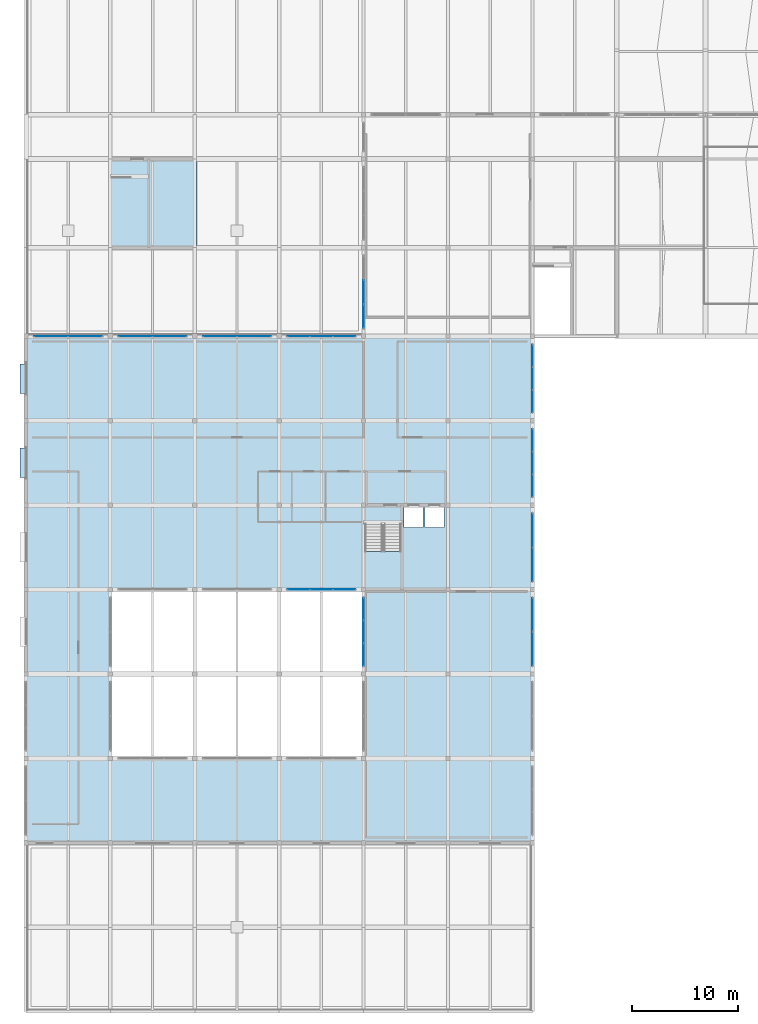
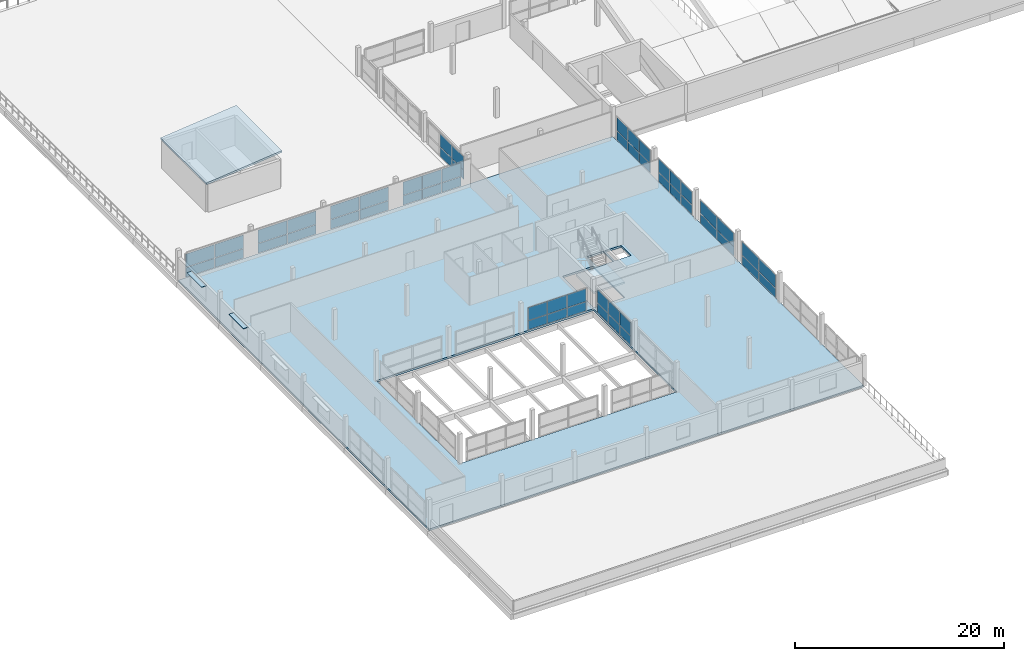
# One storey, part 34 of 51: 56 plates, 3 slabs, 12 elements without a shape of their own.
"""IFC4 building model written with IfcOpenShell, lengths in metres."""

from ifc_helpers import new_model, si_unit, direction, frame, origin, origin_2d, place, context, subcontext, project, spatial, polyline, rectangle, outline, extrude, material, layer, layer_set, type_object, element, aggregate, save


model = new_model("IFC4")

# Units and contexts
model_context = context("Model", 3, precision=1e-05, world=origin(), true_north=direction((0.0, 1.0)))
body_context = subcontext(model_context, "Body", "Model", "MODEL_VIEW")
ifc_project = project(units=[si_unit("LENGTHUNIT", "METRE"), si_unit("AREAUNIT", "SQUARE_METRE"), si_unit("VOLUMEUNIT", "CUBIC_METRE"), si_unit("PLANEANGLEUNIT", "RADIAN"), si_unit("MASSUNIT", "GRAM", prefix="KILO")], contexts=[model_context])

# Site, building, storey
site_placement = place(None, origin())
site = spatial("IfcSite", under=ifc_project, at=site_placement, CompositionType="ELEMENT")
building_placement = place(site_placement, origin())
building = spatial("IfcBuilding", under=site, at=building_placement, Name="Vharandega Faculty of Natural Sciences", CompositionType="ELEMENT")
storey_placement = place(building_placement, frame((0.0, 0.0, 18.0)))
storey = spatial("IfcBuildingStorey", under=building, at=storey_placement, Name="L04", CompositionType="ELEMENT", Elevation=18.0)

# Curtain wall, plates
ifc_material_1 = material(Name="Aluminium and solar-control glass curtain wall", Category="aluminium")
curtain_wall_type_1 = type_object("IfcCurtainWallType", Name="Unitised Curtain Wall System CW-25", PredefinedType="NOTDEFINED", material=ifc_material_1)
curtain_wall_1_placement = place(storey_placement, origin())
curtain_wall_1 = element("IfcCurtainWall", 1, at=curtain_wall_1_placement, inside=storey, type_object=curtain_wall_type_1, Name="Curtain Wall CW-L04-108", PredefinedType="NOTDEFINED")
ifc_material_2 = material(Name="Double-glazed low-E solar glass", Category="glass")
ifc_layer_1 = layer(ifc_material_2, 0.028076171875, Name="Double-glazed low-E solar glass")
ifc_layer_set_1 = layer_set([ifc_layer_1], Name="Double-glazed low-E solar glass")
plate_type_1 = type_object("IfcPlateType", Name="CW Solar Vision Panel 28mm", PredefinedType="CURTAIN_PANEL", material=ifc_layer_set_1)
plate_1_placement = place(storey_placement, frame((32.0, 65.908447265625, 0.06005859375), z_axis=(0.0, 0.0, 1.0), x_axis=(0.0, 1.0, 0.0)))
plate_1 = element("IfcPlate", 2, at=plate_1_placement, type_object=plate_type_1, Name="CW-25 panel 1.1", PredefinedType="CURTAIN_PANEL", context=body_context, shape_type="SweptSolid", body=[
    extrude(rectangle(XDim=2.216552734375, YDim=0.028076171875, at=origin_2d()), origin(), (0.0, 0.0, 1.0), 1.069091796875),
])
plate_2_placement = place(storey_placement, frame((32.0, 65.908447265625, 1.189208984375), z_axis=(0.0, 0.0, 1.0), x_axis=(0.0, 1.0, 0.0)))
plate_2 = element("IfcPlate", 3, at=plate_2_placement, type_object=plate_type_1, Name="CW-25 panel 1.2", PredefinedType="CURTAIN_PANEL", context=body_context, shape_type="SweptSolid", body=[
    extrude(rectangle(XDim=2.216552734375, YDim=0.028076171875, at=origin_2d()), origin(), (0.0, 0.0, 1.0), 1.5107421875),
])
plate_3_placement = place(storey_placement, frame((32.0, 68.199951171875, 0.06005859375), z_axis=(0.0, 0.0, 1.0), x_axis=(0.0, 1.0, 0.0)))
plate_3 = element("IfcPlate", 4, at=plate_3_placement, type_object=plate_type_1, Name="CW-25 panel 2.1", PredefinedType="CURTAIN_PANEL", context=body_context, shape_type="SweptSolid", body=[
    extrude(rectangle(XDim=2.24658203125, YDim=0.028076171875, at=origin_2d()), origin(), (0.0, 0.0, 1.0), 1.069091796875),
])
plate_4_placement = place(storey_placement, frame((32.0, 68.199951171875, 1.189208984375), z_axis=(0.0, 0.0, 1.0), x_axis=(0.0, 1.0, 0.0)))
plate_4 = element("IfcPlate", 5, at=plate_4_placement, type_object=plate_type_1, Name="CW-25 panel 2.2", PredefinedType="CURTAIN_PANEL", context=body_context, shape_type="SweptSolid", body=[
    extrude(rectangle(XDim=2.24658203125, YDim=0.028076171875, at=origin_2d()), origin(), (0.0, 0.0, 1.0), 1.5107421875),
])
aggregate(curtain_wall_1, [plate_1, plate_2, plate_3, plate_4])

ifc_material_3 = material(Name="Aluminium and solar-control glass curtain wall", Category="aluminium")
curtain_wall_type_2 = type_object("IfcCurtainWallType", Name="Unitised Curtain Wall System CW-08", PredefinedType="NOTDEFINED", material=ifc_material_3)
curtain_wall_2_placement = place(storey_placement, origin())
curtain_wall_2 = element("IfcCurtainWall", 6, at=curtain_wall_2_placement, inside=storey, type_object=curtain_wall_type_2, Name="Curtain Wall CW-L04-175", PredefinedType="NOTDEFINED")
plate_5_placement = place(storey_placement, frame((48.0, 34.385009765625, 0.06005859375), z_axis=(0.0, 0.0, 1.0), x_axis=(0.0, 1.0, 0.0)))
plate_5 = element("IfcPlate", 7, at=plate_5_placement, type_object=plate_type_1, Name="CW-08 panel 1.1", PredefinedType="CURTAIN_PANEL", context=body_context, shape_type="SweptSolid", body=[
    extrude(rectangle(XDim=3.169921875, YDim=0.028076171875, at=origin_2d()), origin(), (0.0, 0.0, 1.0), 1.07763671875),
])
plate_6_placement = place(storey_placement, frame((48.0, 34.385009765625, 1.197509765625), z_axis=(0.0, 0.0, 1.0), x_axis=(0.0, 1.0, 0.0)))
plate_6 = element("IfcPlate", 8, at=plate_6_placement, type_object=plate_type_1, Name="CW-08 panel 1.2", PredefinedType="CURTAIN_PANEL", context=body_context, shape_type="SweptSolid", body=[
    extrude(rectangle(XDim=3.169921875, YDim=0.028076171875, at=origin_2d()), origin(), (0.0, 0.0, 1.0), 1.5224609375),
])
plate_7_placement = place(storey_placement, frame((48.0, 37.614990234375, 0.06005859375), z_axis=(0.0, 0.0, 1.0), x_axis=(0.0, 1.0, 0.0)))
plate_7 = element("IfcPlate", 9, at=plate_7_placement, type_object=plate_type_1, Name="CW-08 panel 2.1", PredefinedType="CURTAIN_PANEL", context=body_context, shape_type="SweptSolid", body=[
    extrude(rectangle(XDim=3.169921875, YDim=0.028076171875, at=origin_2d()), origin(), (0.0, 0.0, 1.0), 1.07763671875),
])
plate_8_placement = place(storey_placement, frame((48.0, 37.614990234375, 1.197509765625), z_axis=(0.0, 0.0, 1.0), x_axis=(0.0, 1.0, 0.0)))
plate_8 = element("IfcPlate", 10, at=plate_8_placement, type_object=plate_type_1, Name="CW-08 panel 2.2", PredefinedType="CURTAIN_PANEL", context=body_context, shape_type="SweptSolid", body=[
    extrude(rectangle(XDim=3.169921875, YDim=0.028076171875, at=origin_2d()), origin(), (0.0, 0.0, 1.0), 1.5224609375),
])
aggregate(curtain_wall_2, [plate_5, plate_6, plate_7, plate_8])

ifc_material_4 = material(Name="Aluminium and solar-control glass curtain wall", Category="aluminium")
curtain_wall_type_3 = type_object("IfcCurtainWallType", Name="Unitised Curtain Wall System CW-09", PredefinedType="NOTDEFINED", material=ifc_material_4)
curtain_wall_3_placement = place(storey_placement, origin())
curtain_wall_3 = element("IfcCurtainWall", 11, at=curtain_wall_3_placement, inside=storey, type_object=curtain_wall_type_3, Name="Curtain Wall CW-L04-176", PredefinedType="NOTDEFINED")
plate_9_placement = place(storey_placement, frame((48.0, 42.385009765625, 0.06005859375), z_axis=(0.0, 0.0, 1.0), x_axis=(0.0, 1.0, 0.0)))
plate_9 = element("IfcPlate", 12, at=plate_9_placement, type_object=plate_type_1, Name="CW-09 panel 1.1", PredefinedType="CURTAIN_PANEL", context=body_context, shape_type="SweptSolid", body=[
    extrude(rectangle(XDim=3.169921875, YDim=0.028076171875, at=origin_2d()), origin(), (0.0, 0.0, 1.0), 1.07763671875),
])
plate_10_placement = place(storey_placement, frame((48.0, 42.385009765625, 1.197509765625), z_axis=(0.0, 0.0, 1.0), x_axis=(0.0, 1.0, 0.0)))
plate_10 = element("IfcPlate", 13, at=plate_10_placement, type_object=plate_type_1, Name="CW-09 panel 1.2", PredefinedType="CURTAIN_PANEL", context=body_context, shape_type="SweptSolid", body=[
    extrude(rectangle(XDim=3.169921875, YDim=0.028076171875, at=origin_2d()), origin(), (0.0, 0.0, 1.0), 1.5224609375),
])
plate_11_placement = place(storey_placement, frame((48.0, 45.614990234375, 0.06005859375), z_axis=(0.0, 0.0, 1.0), x_axis=(0.0, 1.0, 0.0)))
plate_11 = element("IfcPlate", 14, at=plate_11_placement, type_object=plate_type_1, Name="CW-09 panel 2.1", PredefinedType="CURTAIN_PANEL", context=body_context, shape_type="SweptSolid", body=[
    extrude(rectangle(XDim=3.169921875, YDim=0.028076171875, at=origin_2d()), origin(), (0.0, 0.0, 1.0), 1.07763671875),
])
plate_12_placement = place(storey_placement, frame((48.0, 45.614990234375, 1.197509765625), z_axis=(0.0, 0.0, 1.0), x_axis=(0.0, 1.0, 0.0)))
plate_12 = element("IfcPlate", 15, at=plate_12_placement, type_object=plate_type_1, Name="CW-09 panel 2.2", PredefinedType="CURTAIN_PANEL", context=body_context, shape_type="SweptSolid", body=[
    extrude(rectangle(XDim=3.169921875, YDim=0.028076171875, at=origin_2d()), origin(), (0.0, 0.0, 1.0), 1.5224609375),
])
aggregate(curtain_wall_3, [plate_9, plate_10, plate_11, plate_12])

ifc_material_5 = material(Name="Aluminium and solar-control glass curtain wall", Category="aluminium")
curtain_wall_type_4 = type_object("IfcCurtainWallType", Name="Unitised Curtain Wall System CW-10", PredefinedType="NOTDEFINED", material=ifc_material_5)
curtain_wall_4_placement = place(storey_placement, origin())
curtain_wall_4 = element("IfcCurtainWall", 16, at=curtain_wall_4_placement, inside=storey, type_object=curtain_wall_type_4, Name="Curtain Wall CW-L04-177", PredefinedType="NOTDEFINED")
plate_13_placement = place(storey_placement, frame((48.0, 49.841552734375, 0.06005859375), z_axis=(0.0, 0.0, 1.0), x_axis=(0.0, 1.0, 0.0)))
plate_13 = element("IfcPlate", 17, at=plate_13_placement, type_object=plate_type_1, Name="CW-10 panel 1.1", PredefinedType="CURTAIN_PANEL", context=body_context, shape_type="SweptSolid", body=[
    extrude(rectangle(XDim=2.083251953125, YDim=0.028076171875, at=origin_2d()), origin(), (0.0, 0.0, 1.0), 1.07763671875),
])
plate_14_placement = place(storey_placement, frame((48.0, 49.841552734375, 1.197509765625), z_axis=(0.0, 0.0, 1.0), x_axis=(0.0, 1.0, 0.0)))
plate_14 = element("IfcPlate", 18, at=plate_14_placement, type_object=plate_type_1, Name="CW-10 panel 1.2", PredefinedType="CURTAIN_PANEL", context=body_context, shape_type="SweptSolid", body=[
    extrude(rectangle(XDim=2.083251953125, YDim=0.028076171875, at=origin_2d()), origin(), (0.0, 0.0, 1.0), 1.5224609375),
])
plate_15_placement = place(storey_placement, frame((48.0, 52.0, 0.06005859375), z_axis=(0.0, 0.0, 1.0), x_axis=(0.0, 1.0, 0.0)))
plate_15 = element("IfcPlate", 19, at=plate_15_placement, type_object=plate_type_1, Name="CW-10 panel 2.1", PredefinedType="CURTAIN_PANEL", context=body_context, shape_type="SweptSolid", body=[
    extrude(rectangle(XDim=2.11328125, YDim=0.028076171875, at=origin_2d()), origin(), (0.0, 0.0, 1.0), 1.07763671875),
])
plate_16_placement = place(storey_placement, frame((48.0, 52.0, 1.197509765625), z_axis=(0.0, 0.0, 1.0), x_axis=(0.0, 1.0, 0.0)))
plate_16 = element("IfcPlate", 20, at=plate_16_placement, type_object=plate_type_1, Name="CW-10 panel 2.2", PredefinedType="CURTAIN_PANEL", context=body_context, shape_type="SweptSolid", body=[
    extrude(rectangle(XDim=2.11328125, YDim=0.028076171875, at=origin_2d()), origin(), (0.0, 0.0, 1.0), 1.5224609375),
])
plate_17_placement = place(storey_placement, frame((48.0, 54.158447265625, 0.06005859375), z_axis=(0.0, 0.0, 1.0), x_axis=(0.0, 1.0, 0.0)))
plate_17 = element("IfcPlate", 21, at=plate_17_placement, type_object=plate_type_1, Name="CW-10 panel 3.1", PredefinedType="CURTAIN_PANEL", context=body_context, shape_type="SweptSolid", body=[
    extrude(rectangle(XDim=2.083251953125, YDim=0.028076171875, at=origin_2d()), origin(), (0.0, 0.0, 1.0), 1.07763671875),
])
plate_18_placement = place(storey_placement, frame((48.0, 54.158447265625, 1.197509765625), z_axis=(0.0, 0.0, 1.0), x_axis=(0.0, 1.0, 0.0)))
plate_18 = element("IfcPlate", 22, at=plate_18_placement, type_object=plate_type_1, Name="CW-10 panel 3.2", PredefinedType="CURTAIN_PANEL", context=body_context, shape_type="SweptSolid", body=[
    extrude(rectangle(XDim=2.083251953125, YDim=0.028076171875, at=origin_2d()), origin(), (0.0, 0.0, 1.0), 1.5224609375),
])
aggregate(curtain_wall_4, [plate_13, plate_14, plate_15, plate_16, plate_17, plate_18])

ifc_material_6 = material(Name="Aluminium and solar-control glass curtain wall", Category="aluminium")
curtain_wall_type_5 = type_object("IfcCurtainWallType", Name="Unitised Curtain Wall System CW-11", PredefinedType="NOTDEFINED", material=ifc_material_6)
curtain_wall_5_placement = place(storey_placement, origin())
curtain_wall_5 = element("IfcCurtainWall", 23, at=curtain_wall_5_placement, inside=storey, type_object=curtain_wall_type_5, Name="Curtain Wall CW-L04-178", PredefinedType="NOTDEFINED")
plate_19_placement = place(storey_placement, frame((48.0, 57.841552734375, 0.06005859375), z_axis=(0.0, 0.0, 1.0), x_axis=(0.0, 1.0, 0.0)))
plate_19 = element("IfcPlate", 24, at=plate_19_placement, type_object=plate_type_1, Name="CW-11 panel 1.1", PredefinedType="CURTAIN_PANEL", context=body_context, shape_type="SweptSolid", body=[
    extrude(rectangle(XDim=2.083251953125, YDim=0.028076171875, at=origin_2d()), origin(), (0.0, 0.0, 1.0), 1.07763671875),
])
plate_20_placement = place(storey_placement, frame((48.0, 57.841552734375, 1.197509765625), z_axis=(0.0, 0.0, 1.0), x_axis=(0.0, 1.0, 0.0)))
plate_20 = element("IfcPlate", 25, at=plate_20_placement, type_object=plate_type_1, Name="CW-11 panel 1.2", PredefinedType="CURTAIN_PANEL", context=body_context, shape_type="SweptSolid", body=[
    extrude(rectangle(XDim=2.083251953125, YDim=0.028076171875, at=origin_2d()), origin(), (0.0, 0.0, 1.0), 1.5224609375),
])
plate_21_placement = place(storey_placement, frame((48.0, 60.0, 0.06005859375), z_axis=(0.0, 0.0, 1.0), x_axis=(0.0, 1.0, 0.0)))
plate_21 = element("IfcPlate", 26, at=plate_21_placement, type_object=plate_type_1, Name="CW-11 panel 2.1", PredefinedType="CURTAIN_PANEL", context=body_context, shape_type="SweptSolid", body=[
    extrude(rectangle(XDim=2.11328125, YDim=0.028076171875, at=origin_2d()), origin(), (0.0, 0.0, 1.0), 1.07763671875),
])
plate_22_placement = place(storey_placement, frame((48.0, 60.0, 1.197509765625), z_axis=(0.0, 0.0, 1.0), x_axis=(0.0, 1.0, 0.0)))
plate_22 = element("IfcPlate", 27, at=plate_22_placement, type_object=plate_type_1, Name="CW-11 panel 2.2", PredefinedType="CURTAIN_PANEL", context=body_context, shape_type="SweptSolid", body=[
    extrude(rectangle(XDim=2.11328125, YDim=0.028076171875, at=origin_2d()), origin(), (0.0, 0.0, 1.0), 1.5224609375),
])
plate_23_placement = place(storey_placement, frame((48.0, 62.158447265625, 0.06005859375), z_axis=(0.0, 0.0, 1.0), x_axis=(0.0, 1.0, 0.0)))
plate_23 = element("IfcPlate", 28, at=plate_23_placement, type_object=plate_type_1, Name="CW-11 panel 3.1", PredefinedType="CURTAIN_PANEL", context=body_context, shape_type="SweptSolid", body=[
    extrude(rectangle(XDim=2.083251953125, YDim=0.028076171875, at=origin_2d()), origin(), (0.0, 0.0, 1.0), 1.07763671875),
])
plate_24_placement = place(storey_placement, frame((48.0, 62.158447265625, 1.197509765625), z_axis=(0.0, 0.0, 1.0), x_axis=(0.0, 1.0, 0.0)))
plate_24 = element("IfcPlate", 29, at=plate_24_placement, type_object=plate_type_1, Name="CW-11 panel 3.2", PredefinedType="CURTAIN_PANEL", context=body_context, shape_type="SweptSolid", body=[
    extrude(rectangle(XDim=2.083251953125, YDim=0.028076171875, at=origin_2d()), origin(), (0.0, 0.0, 1.0), 1.5224609375),
])
aggregate(curtain_wall_5, [plate_19, plate_20, plate_21, plate_22, plate_23, plate_24])

ifc_material_7 = material(Name="Aluminium and solar-control glass curtain wall", Category="aluminium")
curtain_wall_type_6 = type_object("IfcCurtainWallType", Name="Unitised Curtain Wall System CW-12", PredefinedType="NOTDEFINED", material=ifc_material_7)
curtain_wall_6_placement = place(storey_placement, origin())
curtain_wall_6 = element("IfcCurtainWall", 30, at=curtain_wall_6_placement, inside=storey, type_object=curtain_wall_type_6, Name="Curtain Wall CW-L04-179", PredefinedType="NOTDEFINED")
plate_25_placement = place(storey_placement, frame((2.385009765625, 64.0, 0.06005859375), z_axis=(0.0, 0.0, 1.0), x_axis=(1.0, 0.0, 0.0)))
plate_25 = element("IfcPlate", 31, at=plate_25_placement, type_object=plate_type_1, Name="CW-12 panel 1.1", PredefinedType="CURTAIN_PANEL", context=body_context, shape_type="SweptSolid", body=[
    extrude(rectangle(XDim=3.169921875, YDim=0.028076171875, at=origin_2d()), origin(), (0.0, 0.0, 1.0), 1.094482421875),
])
plate_26_placement = place(storey_placement, frame((2.385009765625, 64.0, 1.21435546875), z_axis=(0.0, 0.0, 1.0), x_axis=(1.0, 0.0, 0.0)))
plate_26 = element("IfcPlate", 32, at=plate_26_placement, type_object=plate_type_1, Name="CW-12 panel 1.2", PredefinedType="CURTAIN_PANEL", context=body_context, shape_type="SweptSolid", body=[
    extrude(rectangle(XDim=3.169921875, YDim=0.028076171875, at=origin_2d()), origin(), (0.0, 0.0, 1.0), 1.545654296875),
])
plate_27_placement = place(storey_placement, frame((5.614990234375, 64.0, 0.06005859375), z_axis=(0.0, 0.0, 1.0), x_axis=(1.0, 0.0, 0.0)))
plate_27 = element("IfcPlate", 33, at=plate_27_placement, type_object=plate_type_1, Name="CW-12 panel 2.1", PredefinedType="CURTAIN_PANEL", context=body_context, shape_type="SweptSolid", body=[
    extrude(rectangle(XDim=3.169921875, YDim=0.028076171875, at=origin_2d()), origin(), (0.0, 0.0, 1.0), 1.094482421875),
])
plate_28_placement = place(storey_placement, frame((5.614990234375, 64.0, 1.21435546875), z_axis=(0.0, 0.0, 1.0), x_axis=(1.0, 0.0, 0.0)))
plate_28 = element("IfcPlate", 34, at=plate_28_placement, type_object=plate_type_1, Name="CW-12 panel 2.2", PredefinedType="CURTAIN_PANEL", context=body_context, shape_type="SweptSolid", body=[
    extrude(rectangle(XDim=3.169921875, YDim=0.028076171875, at=origin_2d()), origin(), (0.0, 0.0, 1.0), 1.545654296875),
])
aggregate(curtain_wall_6, [plate_25, plate_26, plate_27, plate_28])

ifc_material_8 = material(Name="Aluminium and solar-control glass curtain wall", Category="aluminium")
curtain_wall_type_7 = type_object("IfcCurtainWallType", Name="Unitised Curtain Wall System CW-13", PredefinedType="NOTDEFINED", material=ifc_material_8)
curtain_wall_7_placement = place(storey_placement, origin())
curtain_wall_7 = element("IfcCurtainWall", 35, at=curtain_wall_7_placement, inside=storey, type_object=curtain_wall_type_7, Name="Curtain Wall CW-L04-180", PredefinedType="NOTDEFINED")
plate_29_placement = place(storey_placement, frame((10.385009765625, 64.0, 0.06005859375), z_axis=(0.0, 0.0, 1.0), x_axis=(1.0, 0.0, 0.0)))
plate_29 = element("IfcPlate", 36, at=plate_29_placement, type_object=plate_type_1, Name="CW-13 panel 1.1", PredefinedType="CURTAIN_PANEL", context=body_context, shape_type="SweptSolid", body=[
    extrude(rectangle(XDim=3.169921875, YDim=0.028076171875, at=origin_2d()), origin(), (0.0, 0.0, 1.0), 1.094482421875),
])
plate_30_placement = place(storey_placement, frame((10.385009765625, 64.0, 1.21435546875), z_axis=(0.0, 0.0, 1.0), x_axis=(1.0, 0.0, 0.0)))
plate_30 = element("IfcPlate", 37, at=plate_30_placement, type_object=plate_type_1, Name="CW-13 panel 1.2", PredefinedType="CURTAIN_PANEL", context=body_context, shape_type="SweptSolid", body=[
    extrude(rectangle(XDim=3.169921875, YDim=0.028076171875, at=origin_2d()), origin(), (0.0, 0.0, 1.0), 1.545654296875),
])
plate_31_placement = place(storey_placement, frame((13.614990234375, 64.0, 0.06005859375), z_axis=(0.0, 0.0, 1.0), x_axis=(1.0, 0.0, 0.0)))
plate_31 = element("IfcPlate", 38, at=plate_31_placement, type_object=plate_type_1, Name="CW-13 panel 2.1", PredefinedType="CURTAIN_PANEL", context=body_context, shape_type="SweptSolid", body=[
    extrude(rectangle(XDim=3.169921875, YDim=0.028076171875, at=origin_2d()), origin(), (0.0, 0.0, 1.0), 1.094482421875),
])
plate_32_placement = place(storey_placement, frame((13.614990234375, 64.0, 1.21435546875), z_axis=(0.0, 0.0, 1.0), x_axis=(1.0, 0.0, 0.0)))
plate_32 = element("IfcPlate", 39, at=plate_32_placement, type_object=plate_type_1, Name="CW-13 panel 2.2", PredefinedType="CURTAIN_PANEL", context=body_context, shape_type="SweptSolid", body=[
    extrude(rectangle(XDim=3.169921875, YDim=0.028076171875, at=origin_2d()), origin(), (0.0, 0.0, 1.0), 1.545654296875),
])
aggregate(curtain_wall_7, [plate_29, plate_30, plate_31, plate_32])

ifc_material_9 = material(Name="Aluminium and solar-control glass curtain wall", Category="aluminium")
curtain_wall_type_8 = type_object("IfcCurtainWallType", Name="Unitised Curtain Wall System CW-14", PredefinedType="NOTDEFINED", material=ifc_material_9)
curtain_wall_8_placement = place(storey_placement, origin())
curtain_wall_8 = element("IfcCurtainWall", 40, at=curtain_wall_8_placement, inside=storey, type_object=curtain_wall_type_8, Name="Curtain Wall CW-L04-181", PredefinedType="NOTDEFINED")
plate_33_placement = place(storey_placement, frame((18.385009765625, 64.0, 0.06005859375), z_axis=(0.0, 0.0, 1.0), x_axis=(1.0, 0.0, 0.0)))
plate_33 = element("IfcPlate", 41, at=plate_33_placement, type_object=plate_type_1, Name="CW-14 panel 1.1", PredefinedType="CURTAIN_PANEL", context=body_context, shape_type="SweptSolid", body=[
    extrude(rectangle(XDim=3.169921875, YDim=0.028076171875, at=origin_2d()), origin(), (0.0, 0.0, 1.0), 1.094482421875),
])
plate_34_placement = place(storey_placement, frame((18.385009765625, 64.0, 1.21435546875), z_axis=(0.0, 0.0, 1.0), x_axis=(1.0, 0.0, 0.0)))
plate_34 = element("IfcPlate", 42, at=plate_34_placement, type_object=plate_type_1, Name="CW-14 panel 1.2", PredefinedType="CURTAIN_PANEL", context=body_context, shape_type="SweptSolid", body=[
    extrude(rectangle(XDim=3.169921875, YDim=0.028076171875, at=origin_2d()), origin(), (0.0, 0.0, 1.0), 1.545654296875),
])
plate_35_placement = place(storey_placement, frame((21.614990234375, 64.0, 0.06005859375), z_axis=(0.0, 0.0, 1.0), x_axis=(1.0, 0.0, 0.0)))
plate_35 = element("IfcPlate", 43, at=plate_35_placement, type_object=plate_type_1, Name="CW-14 panel 2.1", PredefinedType="CURTAIN_PANEL", context=body_context, shape_type="SweptSolid", body=[
    extrude(rectangle(XDim=3.169921875, YDim=0.028076171875, at=origin_2d()), origin(), (0.0, 0.0, 1.0), 1.094482421875),
])
plate_36_placement = place(storey_placement, frame((21.614990234375, 64.0, 1.21435546875), z_axis=(0.0, 0.0, 1.0), x_axis=(1.0, 0.0, 0.0)))
plate_36 = element("IfcPlate", 44, at=plate_36_placement, type_object=plate_type_1, Name="CW-14 panel 2.2", PredefinedType="CURTAIN_PANEL", context=body_context, shape_type="SweptSolid", body=[
    extrude(rectangle(XDim=3.169921875, YDim=0.028076171875, at=origin_2d()), origin(), (0.0, 0.0, 1.0), 1.545654296875),
])
aggregate(curtain_wall_8, [plate_33, plate_34, plate_35, plate_36])

ifc_material_10 = material(Name="Aluminium and solar-control glass curtain wall", Category="aluminium")
curtain_wall_type_9 = type_object("IfcCurtainWallType", Name="Unitised Curtain Wall System CW-15", PredefinedType="NOTDEFINED", material=ifc_material_10)
curtain_wall_9_placement = place(storey_placement, origin())
curtain_wall_9 = element("IfcCurtainWall", 45, at=curtain_wall_9_placement, inside=storey, type_object=curtain_wall_type_9, Name="Curtain Wall CW-L04-182", PredefinedType="NOTDEFINED")
plate_37_placement = place(storey_placement, frame((25.841552734375, 64.0, 0.06005859375), z_axis=(0.0, 0.0, 1.0), x_axis=(1.0, 0.0, 0.0)))
plate_37 = element("IfcPlate", 46, at=plate_37_placement, type_object=plate_type_1, Name="CW-15 panel 1.1", PredefinedType="CURTAIN_PANEL", context=body_context, shape_type="SweptSolid", body=[
    extrude(rectangle(XDim=2.083251953125, YDim=0.028076171875, at=origin_2d()), origin(), (0.0, 0.0, 1.0), 1.094482421875),
])
plate_38_placement = place(storey_placement, frame((25.841552734375, 64.0, 1.21435546875), z_axis=(0.0, 0.0, 1.0), x_axis=(1.0, 0.0, 0.0)))
plate_38 = element("IfcPlate", 47, at=plate_38_placement, type_object=plate_type_1, Name="CW-15 panel 1.2", PredefinedType="CURTAIN_PANEL", context=body_context, shape_type="SweptSolid", body=[
    extrude(rectangle(XDim=2.083251953125, YDim=0.028076171875, at=origin_2d()), origin(), (0.0, 0.0, 1.0), 1.545654296875),
])
plate_39_placement = place(storey_placement, frame((28.0, 64.0, 0.06005859375), z_axis=(0.0, 0.0, 1.0), x_axis=(1.0, 0.0, 0.0)))
plate_39 = element("IfcPlate", 48, at=plate_39_placement, type_object=plate_type_1, Name="CW-15 panel 2.1", PredefinedType="CURTAIN_PANEL", context=body_context, shape_type="SweptSolid", body=[
    extrude(rectangle(XDim=2.11328125, YDim=0.028076171875, at=origin_2d()), origin(), (0.0, 0.0, 1.0), 1.094482421875),
])
plate_40_placement = place(storey_placement, frame((28.0, 64.0, 1.21435546875), z_axis=(0.0, 0.0, 1.0), x_axis=(1.0, 0.0, 0.0)))
plate_40 = element("IfcPlate", 49, at=plate_40_placement, type_object=plate_type_1, Name="CW-15 panel 2.2", PredefinedType="CURTAIN_PANEL", context=body_context, shape_type="SweptSolid", body=[
    extrude(rectangle(XDim=2.11328125, YDim=0.028076171875, at=origin_2d()), origin(), (0.0, 0.0, 1.0), 1.545654296875),
])
plate_41_placement = place(storey_placement, frame((30.158447265625, 64.0, 0.06005859375), z_axis=(0.0, 0.0, 1.0), x_axis=(1.0, 0.0, 0.0)))
plate_41 = element("IfcPlate", 50, at=plate_41_placement, type_object=plate_type_1, Name="CW-15 panel 3.1", PredefinedType="CURTAIN_PANEL", context=body_context, shape_type="SweptSolid", body=[
    extrude(rectangle(XDim=2.083251953125, YDim=0.028076171875, at=origin_2d()), origin(), (0.0, 0.0, 1.0), 1.094482421875),
])
plate_42_placement = place(storey_placement, frame((30.158447265625, 64.0, 1.21435546875), z_axis=(0.0, 0.0, 1.0), x_axis=(1.0, 0.0, 0.0)))
plate_42 = element("IfcPlate", 51, at=plate_42_placement, type_object=plate_type_1, Name="CW-15 panel 3.2", PredefinedType="CURTAIN_PANEL", context=body_context, shape_type="SweptSolid", body=[
    extrude(rectangle(XDim=2.083251953125, YDim=0.028076171875, at=origin_2d()), origin(), (0.0, 0.0, 1.0), 1.545654296875),
])
aggregate(curtain_wall_9, [plate_37, plate_38, plate_39, plate_40, plate_41, plate_42])

ifc_material_11 = material(Name="Aluminium and solar-control glass curtain wall", Category="aluminium")
curtain_wall_type_10 = type_object("IfcCurtainWallType", Name="Unitised Curtain Wall System CW-21", PredefinedType="NOTDEFINED", material=ifc_material_11)
curtain_wall_10_placement = place(storey_placement, origin())
curtain_wall_10 = element("IfcCurtainWall", 52, at=curtain_wall_10_placement, inside=storey, type_object=curtain_wall_type_10, Name="Curtain Wall CW-L04-188", PredefinedType="NOTDEFINED")
plate_43_placement = place(storey_placement, frame((25.841552734375, 40.0, 0.06005859375), z_axis=(0.0, 0.0, 1.0), x_axis=(1.0, 0.0, 0.0)))
plate_43 = element("IfcPlate", 53, at=plate_43_placement, type_object=plate_type_1, Name="CW-21 panel 1.1", PredefinedType="CURTAIN_PANEL", context=body_context, shape_type="SweptSolid", body=[
    extrude(rectangle(XDim=2.083251953125, YDim=0.028076171875, at=origin_2d()), origin(), (0.0, 0.0, 1.0), 1.0439453125),
])
plate_44_placement = place(storey_placement, frame((25.841552734375, 40.0, 1.1640625), z_axis=(0.0, 0.0, 1.0), x_axis=(1.0, 0.0, 0.0)))
plate_44 = element("IfcPlate", 54, at=plate_44_placement, type_object=plate_type_1, Name="CW-21 panel 1.2", PredefinedType="CURTAIN_PANEL", context=body_context, shape_type="SweptSolid", body=[
    extrude(rectangle(XDim=2.083251953125, YDim=0.028076171875, at=origin_2d()), origin(), (0.0, 0.0, 1.0), 1.47607421875),
])
plate_45_placement = place(storey_placement, frame((28.0, 40.0, 0.06005859375), z_axis=(0.0, 0.0, 1.0), x_axis=(1.0, 0.0, 0.0)))
plate_45 = element("IfcPlate", 55, at=plate_45_placement, type_object=plate_type_1, Name="CW-21 panel 2.1", PredefinedType="CURTAIN_PANEL", context=body_context, shape_type="SweptSolid", body=[
    extrude(rectangle(XDim=2.11328125, YDim=0.028076171875, at=origin_2d()), origin(), (0.0, 0.0, 1.0), 1.0439453125),
])
plate_46_placement = place(storey_placement, frame((28.0, 40.0, 1.1640625), z_axis=(0.0, 0.0, 1.0), x_axis=(1.0, 0.0, 0.0)))
plate_46 = element("IfcPlate", 56, at=plate_46_placement, type_object=plate_type_1, Name="CW-21 panel 2.2", PredefinedType="CURTAIN_PANEL", context=body_context, shape_type="SweptSolid", body=[
    extrude(rectangle(XDim=2.11328125, YDim=0.028076171875, at=origin_2d()), origin(), (0.0, 0.0, 1.0), 1.47607421875),
])
plate_47_placement = place(storey_placement, frame((30.158447265625, 40.0, 0.06005859375), z_axis=(0.0, 0.0, 1.0), x_axis=(1.0, 0.0, 0.0)))
plate_47 = element("IfcPlate", 57, at=plate_47_placement, type_object=plate_type_1, Name="CW-21 panel 3.1", PredefinedType="CURTAIN_PANEL", context=body_context, shape_type="SweptSolid", body=[
    extrude(rectangle(XDim=2.083251953125, YDim=0.028076171875, at=origin_2d()), origin(), (0.0, 0.0, 1.0), 1.0439453125),
])
plate_48_placement = place(storey_placement, frame((30.158447265625, 40.0, 1.1640625), z_axis=(0.0, 0.0, 1.0), x_axis=(1.0, 0.0, 0.0)))
plate_48 = element("IfcPlate", 58, at=plate_48_placement, type_object=plate_type_1, Name="CW-21 panel 3.2", PredefinedType="CURTAIN_PANEL", context=body_context, shape_type="SweptSolid", body=[
    extrude(rectangle(XDim=2.083251953125, YDim=0.028076171875, at=origin_2d()), origin(), (0.0, 0.0, 1.0), 1.47607421875),
])
aggregate(curtain_wall_10, [plate_43, plate_44, plate_45, plate_46, plate_47, plate_48])

curtain_wall_11_placement = place(storey_placement, origin())
curtain_wall_11 = element("IfcCurtainWall", 59, at=curtain_wall_11_placement, inside=storey, type_object=curtain_wall_type_1, Name="Curtain Wall CW-L04-192", PredefinedType="NOTDEFINED")
plate_49_placement = place(storey_placement, frame((32.0, 33.841552734375, 0.06005859375), z_axis=(0.0, 0.0, 1.0), x_axis=(0.0, 1.0, 0.0)))
plate_49 = element("IfcPlate", 60, at=plate_49_placement, type_object=plate_type_1, Name="CW-25 panel 1.1", PredefinedType="CURTAIN_PANEL", context=body_context, shape_type="SweptSolid", body=[
    extrude(rectangle(XDim=2.083251953125, YDim=0.028076171875, at=origin_2d()), origin(), (0.0, 0.0, 1.0), 1.07763671875),
])
plate_50_placement = place(storey_placement, frame((32.0, 33.841552734375, 1.197509765625), z_axis=(0.0, 0.0, 1.0), x_axis=(0.0, 1.0, 0.0)))
plate_50 = element("IfcPlate", 61, at=plate_50_placement, type_object=plate_type_1, Name="CW-25 panel 1.2", PredefinedType="CURTAIN_PANEL", context=body_context, shape_type="SweptSolid", body=[
    extrude(rectangle(XDim=2.083251953125, YDim=0.028076171875, at=origin_2d()), origin(), (0.0, 0.0, 1.0), 1.5224609375),
])
plate_51_placement = place(storey_placement, frame((32.0, 36.0, 0.06005859375), z_axis=(0.0, 0.0, 1.0), x_axis=(0.0, 1.0, 0.0)))
plate_51 = element("IfcPlate", 62, at=plate_51_placement, type_object=plate_type_1, Name="CW-25 panel 2.1", PredefinedType="CURTAIN_PANEL", context=body_context, shape_type="SweptSolid", body=[
    extrude(rectangle(XDim=2.11328125, YDim=0.028076171875, at=origin_2d()), origin(), (0.0, 0.0, 1.0), 1.07763671875),
])
plate_52_placement = place(storey_placement, frame((32.0, 36.0, 1.197509765625), z_axis=(0.0, 0.0, 1.0), x_axis=(0.0, 1.0, 0.0)))
plate_52 = element("IfcPlate", 63, at=plate_52_placement, type_object=plate_type_1, Name="CW-25 panel 2.2", PredefinedType="CURTAIN_PANEL", context=body_context, shape_type="SweptSolid", body=[
    extrude(rectangle(XDim=2.11328125, YDim=0.028076171875, at=origin_2d()), origin(), (0.0, 0.0, 1.0), 1.5224609375),
])
plate_53_placement = place(storey_placement, frame((32.0, 38.158447265625, 0.06005859375), z_axis=(0.0, 0.0, 1.0), x_axis=(0.0, 1.0, 0.0)))
plate_53 = element("IfcPlate", 64, at=plate_53_placement, type_object=plate_type_1, Name="CW-25 panel 3.1", PredefinedType="CURTAIN_PANEL", context=body_context, shape_type="SweptSolid", body=[
    extrude(rectangle(XDim=2.083251953125, YDim=0.028076171875, at=origin_2d()), origin(), (0.0, 0.0, 1.0), 1.07763671875),
])
plate_54_placement = place(storey_placement, frame((32.0, 38.158447265625, 1.197509765625), z_axis=(0.0, 0.0, 1.0), x_axis=(0.0, 1.0, 0.0)))
plate_54 = element("IfcPlate", 65, at=plate_54_placement, type_object=plate_type_1, Name="CW-25 panel 3.2", PredefinedType="CURTAIN_PANEL", context=body_context, shape_type="SweptSolid", body=[
    extrude(rectangle(XDim=2.083251953125, YDim=0.028076171875, at=origin_2d()), origin(), (0.0, 0.0, 1.0), 1.5224609375),
])
aggregate(curtain_wall_11, [plate_49, plate_50, plate_51, plate_52, plate_53, plate_54])

# Plates
ifc_material_12 = material(Name="Aluminium solar hood sheet", Category="aluminium")
ifc_layer_2 = layer(ifc_material_12, 0.0400390625, Name="Aluminium solar hood sheet")
ifc_layer_set_2 = layer_set([ifc_layer_2], Name="Aluminium solar hood sheet")
plate_type_2 = type_object("IfcPlateType", Name="North Solar Hood Sheet Plate 40", PredefinedType="SHEET", material=ifc_layer_set_2)
for number, where, z_axis, x_axis, name in (
    (66, (-0.280029296875, 52.0, 2.60009765625), (0.0, 0.0, 1.0), (1.0, 0.0, 0.0), "Solar Shading Hood L04 G"),
    (67, (-0.280029296875, 60.0, 2.60009765625), (0.0, 0.0, 1.0), (1.0, 0.0, 0.0), "Solar Shading Hood L04 H"),
):
    element("IfcPlate", number, at=place(storey_placement, frame(where, z_axis=z_axis, x_axis=x_axis)), inside=storey, type_object=plate_type_2, Name=name, PredefinedType="SHEET", context=body_context, shape_type="SweptSolid", body=[
        extrude(rectangle(XDim=0.56005859375, YDim=2.800048828125, at=origin_2d()), origin(), (0.0, 0.0, 1.0), 0.0400390625),
    ])

# Slabs
ifc_material_13 = material(Name="Concrete C40/50", Category="concrete")
ifc_layer_3 = layer(ifc_material_13, 0.219970703125, Name="Concrete C40/50")
ifc_layer_set_3 = layer_set([ifc_layer_3], Name="Concrete C40/50")
slab_type_1 = type_object("IfcSlabType", Name="ROOF-CORE-220", PredefinedType="ROOF", material=ifc_layer_set_3)
slab_1_placement = place(storey_placement, frame((7.820068359375, 72.219970703125, 3.60009765625), z_axis=(-0.104500333387, 0.0, 0.994524851536), x_axis=(0.994524851536, 0.0, 0.104500333387)))
element("IfcSlab", 68, at=slab_1_placement, inside=storey, type_object=slab_type_1, Name="Core C4 Overrun Roof Slab", PredefinedType="ROOF", context=body_context, shape_type="SweptSolid", body=[
    extrude(outline(polyline([(0.0, 0.0), (8.40588675923099, 0.0), (8.40588675923099, 8.760009765625), (0.0, 8.760009765625), (0.0, 0.0)])), origin(), (0.0, 0.0, -1.0), 0.219970703125),
])
ifc_material_14 = material(Name="Cross-laminated timber CLT7-240", Category="wood")
ifc_layer_4 = layer(ifc_material_14, 0.219970703125, Name="Cross-laminated timber CLT7-240")
ifc_layer_set_4 = layer_set([ifc_layer_4], Name="Cross-laminated timber CLT7-240")
slab_type_2 = type_object("IfcSlabType", Name="SLAB-CLT-220", PredefinedType="FLOOR", material=ifc_layer_set_4)
slab_2_placement = place(storey_placement, frame((0.0, 0.0, -0.219970703125)))
element("IfcSlab", 69, at=slab_2_placement, inside=storey, type_object=slab_type_2, Name="L04 V5 Floor Slab", PredefinedType="FLOOR", context=body_context, shape_type="SweptSolid", body=[
    extrude(outline(polyline([(0.0, 16.0), (48.0, 16.0), (48.0, 64.0), (0.0, 64.0), (0.0, 16.0)]), holes=[polyline([(8.0, 24.0), (32.0, 24.0), (32.0, 40.0), (8.0, 40.0), (8.0, 24.0)]), polyline([(32.139892578125, 46.14501953125), (32.139892578125, 40.139892578125), (35.56005859375, 40.139892578125), (35.56005859375, 46.14501953125), (32.139892578125, 46.14501953125)]), polyline([(35.85009765625, 45.89990234375), (37.64990234375, 45.89990234375), (37.64990234375, 47.820068359375), (35.85009765625, 47.820068359375), (35.85009765625, 45.89990234375)]), polyline([(37.800048828125, 45.89990234375), (39.60009765625, 45.89990234375), (39.60009765625, 47.820068359375), (37.800048828125, 47.820068359375), (37.800048828125, 45.89990234375)])]), origin(), (0.0, 0.0, 1.0), 0.219970703125),
])

# Stair, slab
ifc_material_15 = material(Name="Concrete C40/50", Category="concrete")
stair_type = type_object("IfcStairType", Name="Escape Dog-Leg Stair W165 H360", PredefinedType="HALF_TURN_STAIR", material=ifc_material_15)
stair_placement = place(storey_placement, origin())
stair = element("IfcStair", 70, at=stair_placement, inside=storey, type_object=stair_type, Name="L04 Escape Stair ST3", PredefinedType="HALF_TURN_STAIR")
ifc_material_16 = material(Name="Concrete C40/50", Category="concrete")
ifc_layer_5 = layer(ifc_material_16, 0.199951171875, Name="Concrete C40/50")
ifc_layer_set_5 = layer_set([ifc_layer_5], Name="Concrete C40/50")
slab_type_3 = type_object("IfcSlabType", Name="Stair Half-Landing Slab 200", PredefinedType="LANDING", material=ifc_layer_set_5)
slab_3_placement = place(storey_placement, frame((0.0, 0.0, 1.60009765625)))
slab_3 = element("IfcSlab", 71, at=slab_3_placement, type_object=slab_type_3, Name="ST3 landing 1", PredefinedType="LANDING", context=body_context, shape_type="SweptSolid", body=[
    extrude(outline(polyline([(32.139892578125, 43.60009765625), (32.139892578125, 40.139892578125), (35.56005859375, 40.139892578125), (35.56005859375, 43.60009765625), (32.139892578125, 43.60009765625)])), origin(), (0.0, 0.0, 1.0), 0.199951171875),
])
aggregate(stair, [slab_3])

save(model, "model.ifc")
